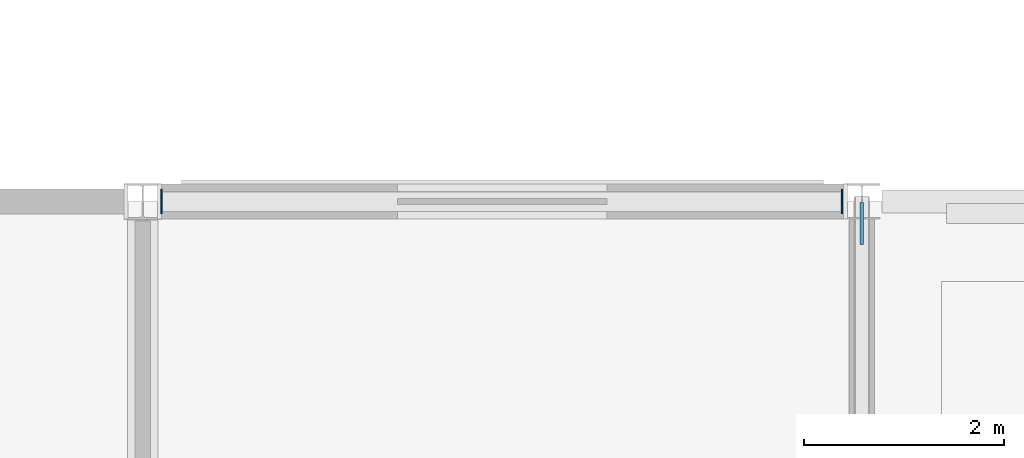
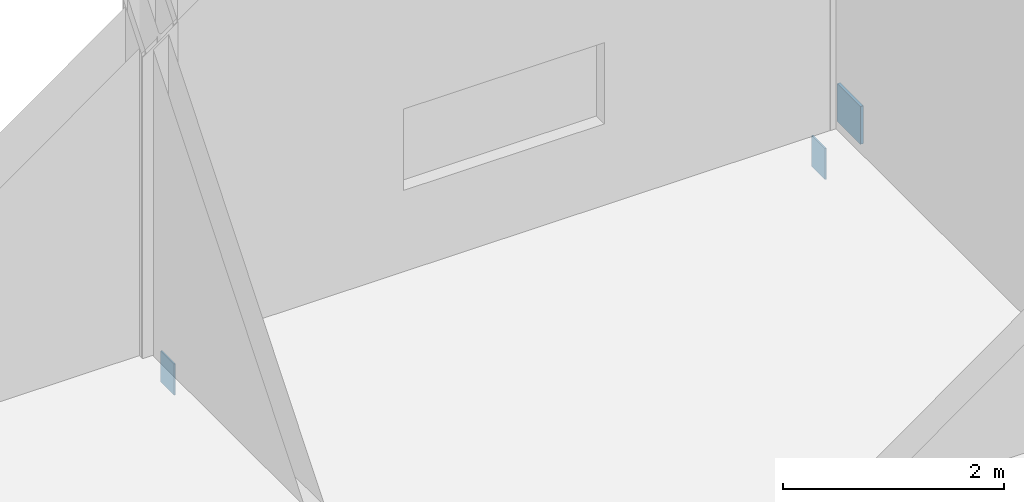
# One storey, part 44 of 72: 3 plates.
"""IFC4 building model written with IfcOpenShell, lengths in metres."""

from ifc_helpers import new_model, si_unit, direction, frame, origin, origin_2d, place, context, subcontext, project, spatial, rectangle, extrude, material, layer, layer_set, type_object, element, save


model = new_model("IFC4")

# Units and contexts
model_context = context("Model", 3, precision=1e-05, world=origin(), true_north=direction((0.0, 1.0)))
body_context = subcontext(model_context, "Body", "Model", "MODEL_VIEW")
ifc_project = project(units=[si_unit("LENGTHUNIT", "METRE"), si_unit("AREAUNIT", "SQUARE_METRE"), si_unit("VOLUMEUNIT", "CUBIC_METRE"), si_unit("PLANEANGLEUNIT", "RADIAN"), si_unit("MASSUNIT", "GRAM", prefix="KILO")], contexts=[model_context])

# Site, building, storey
site_placement = place(None, origin())
site = spatial("IfcSite", under=ifc_project, at=site_placement, CompositionType="ELEMENT")
building_placement = place(site_placement, origin())
building = spatial("IfcBuilding", under=site, at=building_placement, Name="Calvrana Isthmian Art Gallery", CompositionType="ELEMENT")
storey_placement = place(building_placement, frame((0.0, 0.0, 15.0)))
storey = spatial("IfcBuildingStorey", under=building, at=storey_placement, Name="L03", CompositionType="ELEMENT", Elevation=15.0)

# Plates
ifc_material = material(Name="Steel ASTM A572 Gr 50", Category="steel")
ifc_layer_1 = layer(ifc_material, 0.01611328125, Name="Steel ASTM A572 Gr 50")
ifc_layer_set_1 = layer_set([ifc_layer_1], Name="Steel ASTM A572 Gr 50")
plate_type_1 = type_object("IfcPlateType", Name="PL-CAP-16", PredefinedType="SHEET", material=ifc_layer_set_1)
for number, where, z_axis, x_axis, name in (
    (1, (134.58642578125, 46.800048828125, -0.56982421875), (0.0, 0.0, 1.0), (1.0, 0.0, 0.0), "Hollow section end cap plate 481"),
    (2, (141.400390625, 46.800048828125, -0.56982421875), (0.0, 0.0, 1.0), (1.0, 0.0, 0.0), "Hollow section end cap plate 482"),
):
    element("IfcPlate", number, at=place(storey_placement, frame(where, z_axis=z_axis, x_axis=x_axis)), inside=storey, type_object=plate_type_1, Name=name, PredefinedType="SHEET", context=body_context, shape_type="SweptSolid", body=[
        extrude(rectangle(XDim=0.01611328125, YDim=0.2431640625, at=origin_2d()), origin(), (0.0, 0.0, 1.0), 0.3447265625),
    ])
ifc_layer_2 = layer(ifc_material, 0.031982421875, Name="Steel ASTM A572 Gr 50")
ifc_layer_set_2 = layer_set([ifc_layer_2], Name="Steel ASTM A572 Gr 50")
plate_type_2 = type_object("IfcPlateType", Name="PL-GUSSET-32", PredefinedType="USERDEFINED", material=ifc_layer_set_2)
plate_placement = place(storey_placement, frame((141.60009765625, 46.580078125, -0.06005859375), z_axis=(0.0, 0.0, 1.0), x_axis=(1.0, 0.0, 0.0)))
element("IfcPlate", 3, at=plate_placement, inside=storey, type_object=plate_type_2, Name="Chevron brace gusset plate L03-10R", ObjectType="GUSSET PLATE", PredefinedType="USERDEFINED", context=body_context, shape_type="SweptSolid", body=[
    extrude(rectangle(XDim=0.031982421875, YDim=0.419921875, at=origin_2d()), origin(), (0.0, 0.0, 1.0), 0.419921875),
])

save(model, "model.ifc")
